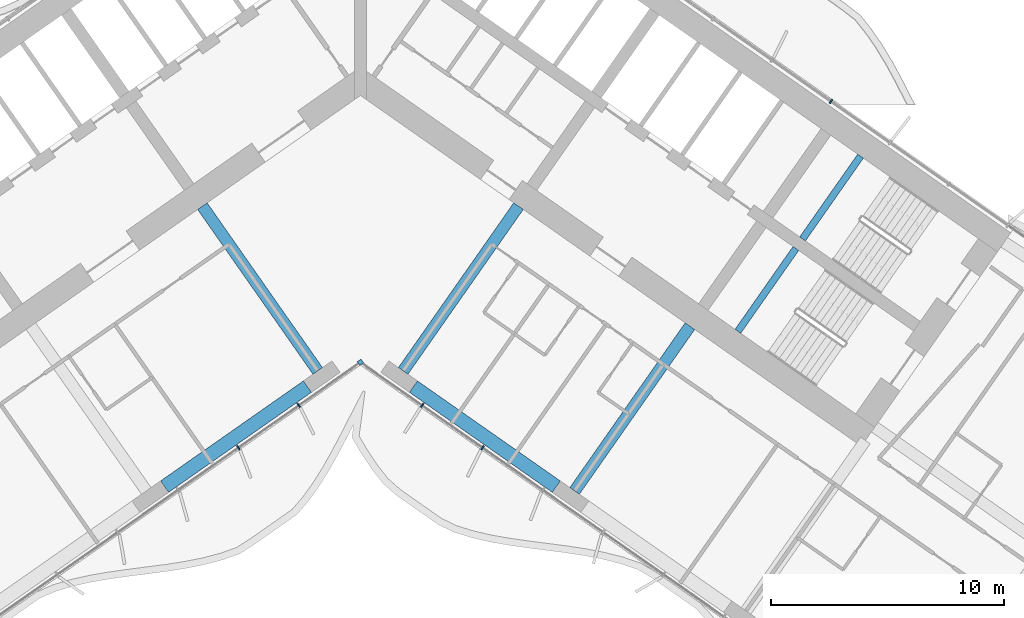
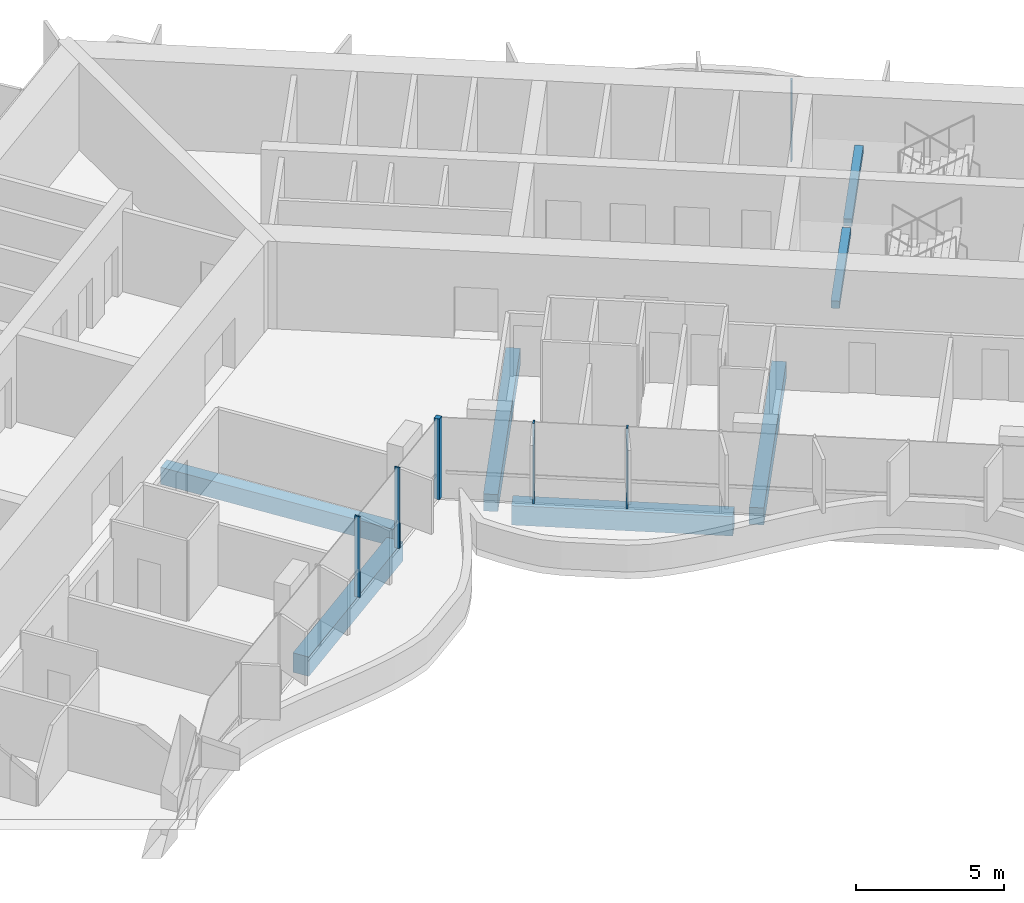
# One storey, part 6 of 23: 7 beams, 6 members, 2 elements without a shape of their own.
"""IFC4 building model written with IfcOpenShell, lengths in metres."""

from ifc_helpers import new_model, si_unit, direction, frame, origin, origin_2d, place, context, subcontext, project, spatial, rectangle, extrude, material, material_profile, profile_set, type_object, element, aggregate, save


model = new_model("IFC4")

# Units and contexts
model_context = context("Model", 3, precision=1e-05, world=origin(), true_north=direction((0.0, 1.0)))
body_context = subcontext(model_context, "Body", "Model", "MODEL_VIEW")
ifc_project = project(units=[si_unit("LENGTHUNIT", "METRE"), si_unit("AREAUNIT", "SQUARE_METRE"), si_unit("VOLUMEUNIT", "CUBIC_METRE"), si_unit("PLANEANGLEUNIT", "RADIAN"), si_unit("MASSUNIT", "GRAM", prefix="KILO")], contexts=[model_context])

# Site, building, storey
site_placement = place(None, origin())
site = spatial("IfcSite", under=ifc_project, at=site_placement, CompositionType="ELEMENT")
building_placement = place(site_placement, origin())
building = spatial("IfcBuilding", under=site, at=building_placement, Name="Tel Ilan Convention Tower", CompositionType="ELEMENT")
storey_placement = place(building_placement, frame((0.0, 0.0, 112.10009765625)))
storey = spatial("IfcBuildingStorey", under=building, at=storey_placement, Name="L24", CompositionType="ELEMENT", Elevation=112.10009765625)

# Beams
ifc_material_1 = material(Name="Concrete C40/50", Category="concrete")
ifc_material_profile_1 = material_profile(ifc_material_1, rectangle(XDim=0.5, YDim=0.699951171875, at=origin_2d()), Name="RC 500x700")
ifc_profile_set_1 = profile_set([ifc_material_profile_1], Name="Concrete C40/50")
beam_type_1 = type_object("IfcBeamType", Name="Beam RC 500x700 Concrete C40/50", PredefinedType="BEAM", material=ifc_profile_set_1)
for number, where, z_axis, x_axis, name in (
    (1, (-1.83740234375, -13.06689453125, -0.630126953125), (-0.573574099654, 0.819153680457, 0.0), (-0.819153680457, -0.573574099654, 0.0), "L24 beam W-W-F1-core"),
    (2, (1.83740234375, -13.06689453125, -0.630126953125), (0.573574099654, 0.819153680457, 0.0), (-0.819153680457, 0.573574099654, 0.0), "L24 beam E-E-F1-core"),
    (3, (9.209716796875, -18.229248046875, -0.630126953125), (0.573574099654, 0.819153680457, 0.0), (-0.819153680457, 0.573574099654, 0.0), "L24 beam E-E-F2-core"),
):
    element("IfcBeam", number, at=place(storey_placement, frame(where, z_axis=z_axis, x_axis=x_axis)), inside=storey, type_object=beam_type_1, Name=name, PredefinedType="BEAM", context=body_context, shape_type="SweptSolid", body=[
        extrude(rectangle(XDim=0.5, YDim=0.699951171875, at=origin_2d()), origin(), (0.0, 0.0, 1.0), 8.64990234375),
    ])
ifc_material_2 = material(Name="Concrete C40/50", Category="concrete")
ifc_material_profile_2 = material_profile(ifc_material_2, rectangle(XDim=0.60009765625, YDim=0.800048828125, at=origin_2d()), Name="RC 600x800")
ifc_profile_set_2 = profile_set([ifc_material_profile_2], Name="Concrete C40/50")
beam_type_2 = type_object("IfcBeamType", Name="Beam RC 600x800 Concrete C40/50", PredefinedType="BEAM", material=ifc_profile_set_2)
for number, where, z_axis, x_axis, name in (
    (4, (-2.279541015625, -13.742919921875, -0.68017578125), (-0.819147803225, -0.57358249317, 0.0), (0.57358249317, -0.819147803225, 0.0), "L24 beam W-W-F1-W-F2"),
    (5, (2.279541015625, -13.742919921875, -0.68017578125), (0.819147803225, -0.57358249317, 0.0), (0.57358249317, 0.819147803225, 0.0), "L24 beam E-E-F1-E-F2"),
):
    element("IfcBeam", number, at=place(storey_placement, frame(where, z_axis=z_axis, x_axis=x_axis)), inside=storey, type_object=beam_type_2, Name=name, PredefinedType="BEAM", context=body_context, shape_type="SweptSolid", body=[
        extrude(rectangle(XDim=0.60009765625, YDim=0.800048828125, at=origin_2d()), origin(), (0.0, 0.0, 1.0), 7.500244140625),
    ])

# Curtain wall, member
ifc_material_3 = material(Name="Aluminium, bronze anodised", Category="aluminium")
curtain_wall_type_1 = type_object("IfcCurtainWallType", Name="CW1 UNITISED CURTAIN WALL, HOTEL TINTED GLASS", PredefinedType="NOTDEFINED", material=ifc_material_3)
curtain_wall_1_placement = place(storey_placement, origin())
curtain_wall_1 = element("IfcCurtainWall", 6, at=curtain_wall_1_placement, inside=storey, type_object=curtain_wall_type_1, Name="Curtain wall CW1-20.02", PredefinedType="NOTDEFINED")
ifc_material_4 = material(Name="Aluminium, bronze anodised", Category="aluminium")
ifc_material_profile_3 = material_profile(ifc_material_4, rectangle(XDim=0.199951171875, YDim=0.199951171875, at=origin_2d()), Name="CW CORNER MULLION 200x200")
ifc_profile_set_3 = profile_set([ifc_material_profile_3], Name="Aluminium, bronze anodised")
member_type_1 = type_object("IfcMemberType", Name="CW CORNER MULLION 200x200", PredefinedType="MULLION", material=ifc_profile_set_3)
member_1_placement = place(storey_placement, frame((0.0, -12.696044921875, 0.0), z_axis=(0.0, 0.0, 1.0), x_axis=(0.819152044289, 0.573576436351, 0.0)))
member_1 = element("IfcMember", 7, at=member_1_placement, type_object=member_type_1, Name="Corner mullion", PredefinedType="MULLION", context=body_context, shape_type="SweptSolid", body=[
    extrude(rectangle(XDim=0.199951171875, YDim=0.199951171875, at=origin_2d()), origin(), (0.0, 0.0, 1.0), 3.31982421875),
])

ifc_material_5 = material(Name="Aluminium, bronze anodised", Category="aluminium")
curtain_wall_type_2 = type_object("IfcCurtainWallType", Name="CW2 STICK CURTAIN WALL, SPANDREL PANELS", PredefinedType="NOTDEFINED", material=ifc_material_5)
curtain_wall_2_placement = place(storey_placement, origin())
curtain_wall_2 = element("IfcCurtainWall", 8, at=curtain_wall_2_placement, inside=storey, type_object=curtain_wall_type_2, Name="Curtain wall CW2-20.01", PredefinedType="NOTDEFINED")
ifc_material_6 = material(Name="Aluminium, bronze anodised", Category="aluminium")
ifc_material_profile_4 = material_profile(ifc_material_6, rectangle(XDim=0.06005859375, YDim=0.199951171875, at=origin_2d()), Name="CW MULLION 60x200")
ifc_profile_set_4 = profile_set([ifc_material_profile_4], Name="Aluminium, bronze anodised")
member_type_2 = type_object("IfcMemberType", Name="CW MULLION 60x200", PredefinedType="MULLION", material=ifc_profile_set_4)
member_2_placement = place(storey_placement, frame((20.238037109375, -1.474853515625, 0.0), z_axis=(0.0, 0.0, 1.0), x_axis=(-0.819152044289, 0.573576436351, 0.0)))
member_2 = element("IfcMember", 9, at=member_2_placement, type_object=member_type_2, Name="Mullion", PredefinedType="MULLION", context=body_context, shape_type="SweptSolid", body=[
    extrude(rectangle(XDim=0.06005859375, YDim=0.199951171875, at=origin_2d()), origin(), (0.0, 0.0, 1.0), 3.31982421875),
])
aggregate(curtain_wall_2, [member_2])

# Member
member_3_placement = place(storey_placement, frame((-5.24755859375, -16.370361328125, 0.0), z_axis=(0.0, 0.0, 1.0), x_axis=(0.819152044289, 0.573576436351, 0.0)))
member_3 = element("IfcMember", 10, at=member_3_placement, type_object=member_type_2, Name="Mullion", PredefinedType="MULLION", context=body_context, shape_type="SweptSolid", body=[
    extrude(rectangle(XDim=0.06005859375, YDim=0.199951171875, at=origin_2d()), origin(), (0.0, 0.0, 1.0), 3.31982421875),
])

member_4_placement = place(storey_placement, frame((-2.65234375, -14.55322265625, 0.0), z_axis=(0.0, 0.0, 1.0), x_axis=(0.819152044289, 0.573576436351, 0.0)))
member_4 = element("IfcMember", 11, at=member_4_placement, type_object=member_type_2, Name="Mullion", PredefinedType="MULLION", context=body_context, shape_type="SweptSolid", body=[
    extrude(rectangle(XDim=0.06005859375, YDim=0.199951171875, at=origin_2d()), origin(), (0.0, 0.0, 1.0), 3.31982421875),
])

member_5_placement = place(storey_placement, frame((2.65234375, -14.55322265625, 0.0), z_axis=(0.0, 0.0, 1.0), x_axis=(0.819152044289, -0.573576436351, 0.0)))
member_5 = element("IfcMember", 12, at=member_5_placement, type_object=member_type_2, Name="Mullion", PredefinedType="MULLION", context=body_context, shape_type="SweptSolid", body=[
    extrude(rectangle(XDim=0.06005859375, YDim=0.199951171875, at=origin_2d()), origin(), (0.0, 0.0, 1.0), 3.31982421875),
])

member_6_placement = place(storey_placement, frame((5.24755859375, -16.370361328125, 0.0), z_axis=(0.0, 0.0, 1.0), x_axis=(0.819152044289, -0.573576436351, 0.0)))
member_6 = element("IfcMember", 13, at=member_6_placement, type_object=member_type_2, Name="Mullion", PredefinedType="MULLION", context=body_context, shape_type="SweptSolid", body=[
    extrude(rectangle(XDim=0.06005859375, YDim=0.199951171875, at=origin_2d()), origin(), (0.0, 0.0, 1.0), 3.31982421875),
])

aggregate(curtain_wall_1, [member_3, member_4, member_1, member_5, member_6])

# Beams
ifc_material_7 = material(Name="Concrete C40/50", Category="concrete")
ifc_material_profile_5 = material_profile(ifc_material_7, rectangle(XDim=0.300048828125, YDim=0.300048828125, at=origin_2d()), Name="RC 300x300")
ifc_profile_set_5 = profile_set([ifc_material_profile_5], Name="Concrete C40/50")
beam_type_3 = type_object("IfcBeamType", Name="Landing Beam RC 300x300 Concrete C40/50", PredefinedType="BEAM", material=ifc_profile_set_5)
beam_1_placement = place(storey_placement, frame((21.5087890625, -3.829345703125, 1.449951171875), z_axis=(-0.57356780395, -0.819158088694, 0.0), x_axis=(0.819158088694, -0.57356780395, 0.0)))
element("IfcBeam", 14, at=beam_1_placement, inside=storey, type_object=beam_type_3, Name="S3 landing beam L24.1", PredefinedType="BEAM", context=body_context, shape_type="SweptSolid", body=[
    extrude(rectangle(XDim=0.300048828125, YDim=0.300048828125, at=origin_2d()), origin(), (0.0, 0.0, 1.0), 4.35009765625),
])
beam_2_placement = place(storey_placement, frame((18.726806640625, -7.80224609375, 1.449951171875), z_axis=(-0.573594173421, -0.819139624372, 0.0), x_axis=(0.819139624372, -0.573594173421, 0.0)))
element("IfcBeam", 15, at=beam_2_placement, inside=storey, type_object=beam_type_3, Name="S4 landing beam L24.1", PredefinedType="BEAM", context=body_context, shape_type="SweptSolid", body=[
    extrude(rectangle(XDim=0.300048828125, YDim=0.300048828125, at=origin_2d()), origin(), (0.0, 0.0, 1.0), 4.349853515625),
])

save(model, "model.ifc")
